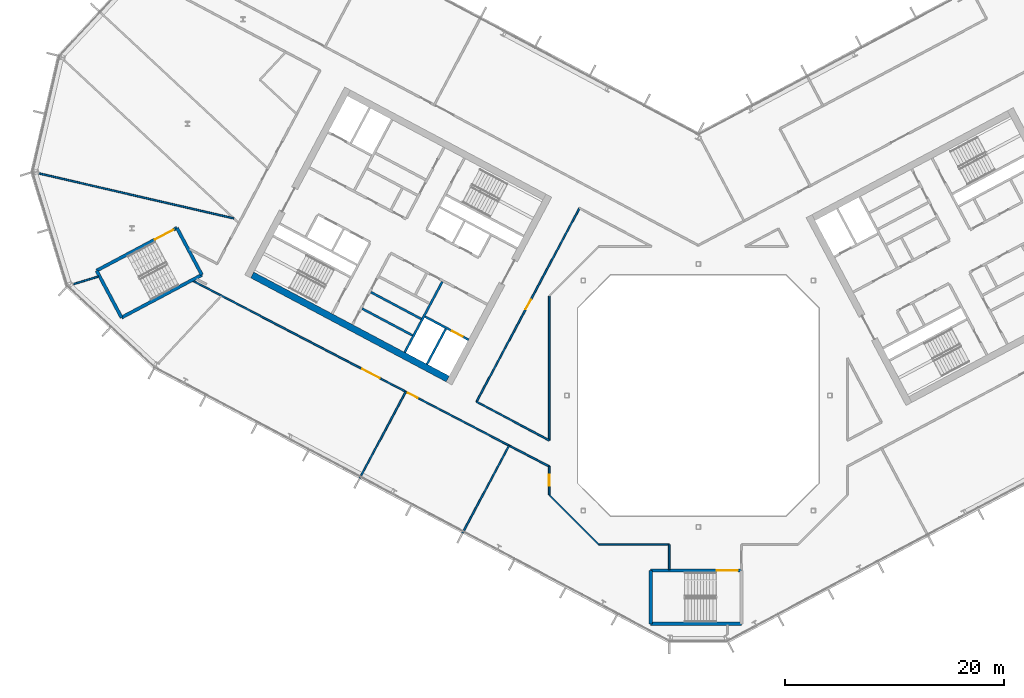
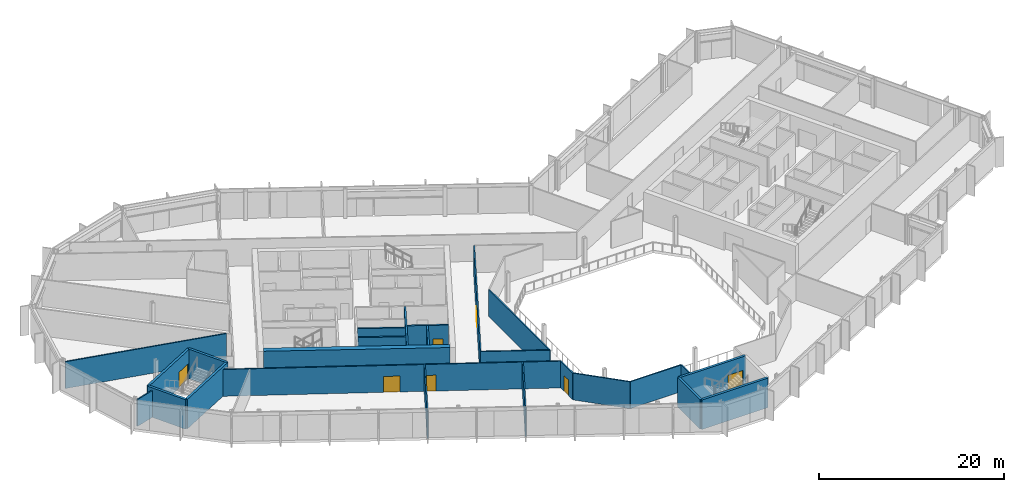
# One storey, part 12 of 26: 25 walls, 7 doors, 7 openings.
"""IFC4 building model written with IfcOpenShell, lengths in metres."""

from ifc_helpers import new_model, si_unit, direction, frame, frame_2d, origin, place, context, subcontext, project, spatial, rectangle, extrude, material, layer, layer_set, type_object, element, fill, save


model = new_model("IFC4")

# Units and contexts
model_context = context("Model", 3, precision=1e-05, world=origin(), true_north=direction((0.0, 1.0)))
body_context = subcontext(model_context, "Body", "Model", "MODEL_VIEW")
ifc_project = project(units=[si_unit("LENGTHUNIT", "METRE"), si_unit("AREAUNIT", "SQUARE_METRE"), si_unit("VOLUMEUNIT", "CUBIC_METRE"), si_unit("PLANEANGLEUNIT", "RADIAN"), si_unit("MASSUNIT", "GRAM", prefix="KILO")], contexts=[model_context])

# Site, building, storey
site_placement = place(None, origin())
site = spatial("IfcSite", under=ifc_project, at=site_placement, CompositionType="ELEMENT")
building_placement = place(site_placement, origin())
building = spatial("IfcBuilding", under=site, at=building_placement, Name="Cormorant Relay Tower", CompositionType="ELEMENT")
storey_placement = place(building_placement, frame((0.0, 0.0, 213.0)))
storey = spatial("IfcBuildingStorey", under=building, at=storey_placement, Name="L46", CompositionType="ELEMENT", Elevation=213.0)

# Walls
ifc_material_1 = material(Name="Concrete 40 MPa", Category="concrete")
ifc_layer_1 = layer(ifc_material_1, 0.199951171875)
ifc_layer_set_1 = layer_set([ifc_layer_1], Name="Core internal wall 200")
wall_type_1 = type_object("IfcWallType", Name="Core internal wall 200", PredefinedType="SOLIDWALL", material=ifc_layer_set_1)
for number, where, z_axis, x_axis, name in (
    (1, (-25.279541015625, 6.985595703125, 0.0), (0.0, 0.0, 1.0), (-0.882934506056, 0.469496174655, 0.0), "L46 core A shaft and room wall"),
    (2, (-26.07763671875, 5.484619140625, 0.0), (0.0, 0.0, 1.0), (-0.882934506056, 0.469496174655, 0.0), "L46 core A shaft and room wall"),
):
    element("IfcWall", number, at=place(storey_placement, frame(where, z_axis=z_axis, x_axis=x_axis)), inside=storey, type_object=wall_type_1, Name=name, PredefinedType="SOLIDWALL", context=body_context, shape_type="SweptSolid", body=[
        extrude(rectangle(XDim=5.199951171875, YDim=0.199951171875, at=frame_2d((2.60009765625, 0.0))), origin(), (0.0, 0.0, 1.0), 3.89990234375),
    ])
ifc_material_2 = material(Name="Concrete 50 MPa", Category="concrete")
ifc_layer_2 = layer(ifc_material_2, 0.199951171875)
ifc_layer_set_2 = layer_set([ifc_layer_2], Name="Core shaft wall 200")
wall_type_2 = type_object("IfcWallType", Name="Core shaft wall 200", PredefinedType="SHEAR", material=ifc_layer_set_2)
wall_1_placement = place(storey_placement, frame((-23.04296875, 6.07958984375, 0.0), z_axis=(0.0, 0.0, 1.0), x_axis=(-0.469494272526, -0.882935517501, 0.0)))
element("IfcWall", 3, at=wall_1_placement, inside=storey, type_object=wall_type_2, Name="L46 core A shaft wall", PredefinedType="SHEAR", context=body_context, shape_type="SweptSolid", body=[
    extrude(rectangle(XDim=3.64990234375, YDim=0.199951171875, at=frame_2d((1.824951171875, 0.0))), origin(), (0.0, 0.0, 1.0), 3.89990234375),
])
wall_2_placement = place(storey_placement, frame((-23.360107421875, 10.38232421875, 0.0), z_axis=(0.0, 0.0, 1.0), x_axis=(-0.469480409012, -0.88294288918, 0.0)))
element("IfcWall", 4, at=wall_2_placement, inside=storey, type_object=wall_type_2, Name="L46 core A shaft wall", PredefinedType="SHEAR", context=body_context, shape_type="SweptSolid", body=[
    extrude(rectangle(XDim=7.300048828125, YDim=0.199951171875, at=frame_2d((3.64990234375, 0.0))), origin(), (0.0, 0.0, 1.0), 3.89990234375),
])

# Wall, opening, door
wall_3_placement = place(storey_placement, frame((-20.96533203125, 5.088134765625, 0.0), z_axis=(0.0, 0.0, 1.0), x_axis=(-0.882925986334, 0.469512196493, 0.0)))
wall_3 = element("IfcWall", 5, at=wall_3_placement, inside=storey, type_object=wall_type_2, Name="L46 core A shaft wall", PredefinedType="SHEAR", context=body_context, shape_type="SweptSolid", body=[
    extrude(rectangle(XDim=4.5, YDim=0.199951171875, at=frame_2d((2.25, 0.0))), origin(), (0.0, 0.0, 1.0), 3.89990234375),
])
opening_1_placement = place(wall_3_placement, frame((0.60009765625, 0.0, 0.0)))
opening_1 = element("IfcOpeningElement", 6, at=opening_1_placement, cuts=wall_3, Name="Opening LD1-063", PredefinedType="OPENING", context=body_context, shape_type="SweptSolid", body=[
    extrude(rectangle(XDim=1.10009765625, YDim=2.10009765625, at=frame_2d((0.550048828125, 1.050048828125))), frame((0.0, 0.10986328125, 0.0), z_axis=(0.0, -1.0, 0.0), x_axis=(1.0, 0.0, 0.0)), (0.0, 0.0, 1.0), 0.219970703125),
])
ifc_material_3 = material(Name="Stainless steel 316", Category="steel")
door_type_1 = type_object("IfcDoorType", Name="Lift landing door 1100x2100", OperationType="DOUBLE_DOOR_SLIDING", PredefinedType="DOOR", material=ifc_material_3)
door_1_placement = place(opening_1_placement, origin())
door_1 = element("IfcDoor", 7, at=door_1_placement, inside=storey, type_object=door_type_1, Name="FF1 landing door", OperationType="DOUBLE_DOOR_SLIDING", OverallHeight=2.10009765625, OverallWidth=1.10009765625, PredefinedType="DOOR", context=body_context, shape_type="SweptSolid", body=[
    extrude(rectangle(XDim=1.10009765625, YDim=2.10009765625, at=frame_2d((0.550048828125, 1.050048828125))), frame((0.0, 0.02490234375, 0.0), z_axis=(0.0, -1.0, 0.0), x_axis=(1.0, 0.0, 0.0)), (0.0, 0.0, 1.0), 0.050048828125),
])
fill(opening_1, door_1)

# Wall
ifc_material_4 = material(Name="Concrete 50 MPa", Category="concrete")
ifc_layer_3 = layer(ifc_material_4, 0.60009765625)
ifc_layer_set_3 = layer_set([ifc_layer_3], Name="Core wall 600")
wall_type_3 = type_object("IfcWallType", Name="Core wall 600", PredefinedType="SHEAR", material=ifc_layer_set_3)
wall_4_placement = place(storey_placement, frame((-22.86669921875, 1.51220703125, 0.0), z_axis=(0.0, 0.0, 1.0), x_axis=(-0.88294509198, 0.469476266226, 0.0)))
element("IfcWall", 8, at=wall_4_placement, inside=storey, type_object=wall_type_3, Name="L46 core A wall", PredefinedType="SHEAR", context=body_context, shape_type="SweptSolid", body=[
    extrude(rectangle(XDim=20.199951171875, YDim=0.60009765625, at=frame_2d((10.10009765625, 0.0))), origin(), (0.0, 0.0, 1.0), 3.89990234375),
])

# Wall, opening, door
ifc_material_5 = material(Name="Gypsum board fire partition")
ifc_layer_4 = layer(ifc_material_5, 0.14990234375)
ifc_layer_set_4 = layer_set([ifc_layer_4], Name="Corridor partition 150 EI 60")
wall_type_4 = type_object("IfcWallType", Name="Corridor partition 150 EI 60", PredefinedType="PARTITIONING", material=ifc_layer_set_4)
wall_5_placement = place(storey_placement, frame((-13.60009765625, -9.076904296875, 0.0), z_axis=(0.0, 0.0, 1.0), x_axis=(0.0, 1.0, 0.0)))
wall_5 = element("IfcWall", 9, at=wall_5_placement, inside=storey, type_object=wall_type_4, Name="wall/L46/part/015", PredefinedType="PARTITIONING", context=body_context, shape_type="SweptSolid", body=[
    extrude(rectangle(XDim=2.60400390625, YDim=0.14990234375, at=frame_2d((1.302001953125, 0.0))), origin(), (0.0, 0.0, 1.0), 3.5400390625),
])
opening_2_placement = place(wall_5_placement, frame((0.85009765625, 0.0, 0.0)))
opening_2 = element("IfcOpeningElement", 10, at=opening_2_placement, cuts=wall_5, Name="Opening DS-145", PredefinedType="OPENING", context=body_context, shape_type="SweptSolid", body=[
    extrude(rectangle(XDim=1.0, YDim=2.10009765625, at=frame_2d((0.5, 1.050048828125))), frame((0.0, 0.0849609375, 0.0), z_axis=(0.0, -1.0, 0.0), x_axis=(1.0, 0.0, 0.0)), (0.0, 0.0, 1.0), 0.169921875),
])
ifc_material_6 = material(Name="Timber door leaf", Category="wood")
door_type_2 = type_object("IfcDoorType", Name="Suite door 1000x2100", OperationType="SINGLE_SWING_LEFT", PredefinedType="DOOR", material=ifc_material_6)
door_2_placement = place(opening_2_placement, origin())
door_2 = element("IfcDoor", 11, at=door_2_placement, inside=storey, type_object=door_type_2, Name="door/L46/009", OperationType="SINGLE_SWING_RIGHT", OverallHeight=2.10009765625, OverallWidth=1.0, PredefinedType="DOOR", context=body_context, shape_type="SweptSolid", body=[
    extrude(rectangle(XDim=1.0, YDim=2.10009765625, at=frame_2d((0.5, 1.050048828125))), frame((0.0, 0.02490234375, 0.0), z_axis=(0.0, -1.0, 0.0), x_axis=(1.0, 0.0, 0.0)), (0.0, 0.0, 1.0), 0.050048828125),
])
fill(opening_2, door_2)

# Wall, openings, doors
wall_6_placement = place(storey_placement, frame((-13.60009765625, -6.472900390625, 0.0), z_axis=(0.0, 0.0, 1.0), x_axis=(-0.886887925569, 0.461984639874, 0.0)))
wall_6 = element("IfcWall", 12, at=wall_6_placement, inside=storey, type_object=wall_type_4, Name="wall/L46/part/016", PredefinedType="PARTITIONING", context=body_context, shape_type="SweptSolid", body=[
    extrude(rectangle(XDim=36.64599609375, YDim=0.14990234375, at=frame_2d((18.322998046875, 0.0))), origin(), (0.0, 0.0, 1.0), 3.5400390625),
])
opening_3_placement = place(wall_6_placement, frame((17.449951171875, 0.0, 0.0)))
opening_3 = element("IfcOpeningElement", 13, at=opening_3_placement, cuts=wall_6, Name="Opening DD-025", PredefinedType="OPENING", context=body_context, shape_type="SweptSolid", body=[
    extrude(rectangle(XDim=1.800048828125, YDim=2.10009765625, at=frame_2d((0.89990234375, 1.050048828125))), frame((0.0, 0.0849609375, 0.0), z_axis=(0.0, -1.0, 0.0), x_axis=(1.0, 0.0, 0.0)), (0.0, 0.0, 1.0), 0.169921875),
])
opening_4_placement = place(wall_6_placement, frame((13.550048828125, 0.0, 0.0)))
opening_4 = element("IfcOpeningElement", 14, at=opening_4_placement, cuts=wall_6, Name="Opening DS-144", PredefinedType="OPENING", context=body_context, shape_type="SweptSolid", body=[
    extrude(rectangle(XDim=1.0, YDim=2.10009765625, at=frame_2d((0.5, 1.050048828125))), frame((0.0, 0.0849609375, 0.0), z_axis=(0.0, -1.0, 0.0), x_axis=(1.0, 0.0, 0.0)), (0.0, 0.0, 1.0), 0.169921875),
])
door_3_placement = place(opening_4_placement, origin())
door_3 = element("IfcDoor", 15, at=door_3_placement, inside=storey, type_object=door_type_2, Name="door/L46/008", OperationType="SINGLE_SWING_RIGHT", OverallHeight=2.10009765625, OverallWidth=1.0, PredefinedType="DOOR", context=body_context, shape_type="SweptSolid", body=[
    extrude(rectangle(XDim=1.0, YDim=2.10009765625, at=frame_2d((0.5, 1.050048828125))), frame((0.0, 0.02490234375, 0.0), z_axis=(0.0, -1.0, 0.0), x_axis=(1.0, 0.0, 0.0)), (0.0, 0.0, 1.0), 0.050048828125),
])
fill(opening_4, door_3)
ifc_material_7 = material(Name="Timber door leaf", Category="wood")
door_type_3 = type_object("IfcDoorType", Name="Suite double door 1800x2100", OperationType="DOUBLE_DOOR_SINGLE_SWING", PredefinedType="DOOR", material=ifc_material_7)
door_4_placement = place(opening_3_placement, origin())
door_4 = element("IfcDoor", 16, at=door_4_placement, inside=storey, type_object=door_type_3, Name="door/L46/007", OperationType="DOUBLE_DOOR_SINGLE_SWING", OverallHeight=2.10009765625, OverallWidth=1.800048828125, PredefinedType="DOOR", context=body_context, shape_type="SweptSolid", body=[
    extrude(rectangle(XDim=1.800048828125, YDim=2.10009765625, at=frame_2d((0.89990234375, 1.050048828125))), frame((0.0, 0.02490234375, 0.0), z_axis=(0.0, -1.0, 0.0), x_axis=(1.0, 0.0, 0.0)), (0.0, 0.0, 1.0), 0.050048828125),
])
fill(opening_3, door_4)

# Walls
wall_7_placement = place(storey_placement, frame((-13.60009765625, -9.076904296875, 0.0), z_axis=(0.0, 0.0, 1.0), x_axis=(0.707106781187, -0.707106781187, 0.0)))
element("IfcWall", 17, at=wall_7_placement, inside=storey, type_object=wall_type_4, Name="wall/L46/part/023", PredefinedType="PARTITIONING", context=body_context, shape_type="SweptSolid", body=[
    extrude(rectangle(XDim=6.396728515625, YDim=0.14990234375, at=frame_2d((3.1982421875, 0.0))), origin(), (0.0, 0.0, 1.0), 3.5400390625),
])
wall_8_placement = place(storey_placement, frame((-2.64892578125, -15.875, 0.0), z_axis=(0.0, 0.0, 1.0), x_axis=(0.0, 1.0, 0.0)))
element("IfcWall", 18, at=wall_8_placement, inside=storey, type_object=wall_type_4, Name="wall/L46/part/024", PredefinedType="PARTITIONING", context=body_context, shape_type="SweptSolid", body=[
    extrude(rectangle(XDim=2.27490234375, YDim=0.14990234375, at=frame_2d((1.137451171875, 0.0))), origin(), (0.0, 0.0, 1.0), 3.5400390625),
])
wall_9_placement = place(storey_placement, frame((-2.64892578125, -13.60009765625, 0.0), z_axis=(0.0, 0.0, 1.0), x_axis=(-1.0, 0.0, 0.0)))
element("IfcWall", 19, at=wall_9_placement, inside=storey, type_object=wall_type_4, Name="wall/L46/part/025", PredefinedType="PARTITIONING", context=body_context, shape_type="SweptSolid", body=[
    extrude(rectangle(XDim=6.427978515625, YDim=0.14990234375, at=frame_2d((3.2138671875, 0.0))), origin(), (0.0, 0.0, 1.0), 3.5400390625),
])

# Wall, opening, door
wall_10_placement = place(storey_placement, frame((-20.235107421875, -0.56689453125, 0.0), z_axis=(0.0, 0.0, 1.0), x_axis=(0.469499398982, 0.882932791528, 0.0)))
wall_10 = element("IfcWall", 20, at=wall_10_placement, inside=storey, type_object=wall_type_4, Name="wall/L46/part/043", PredefinedType="PARTITIONING", context=body_context, shape_type="SweptSolid", body=[
    extrude(rectangle(XDim=20.000244140625, YDim=0.14990234375, at=frame_2d((10.0, 0.0))), origin(), (0.0, 0.0, 1.0), 3.5400390625),
])
opening_5_placement = place(wall_10_placement, frame((9.550048828125, 0.0, 0.0)))
opening_5 = element("IfcOpeningElement", 21, at=opening_5_placement, cuts=wall_10, Name="Opening DS-146", PredefinedType="OPENING", context=body_context, shape_type="SweptSolid", body=[
    extrude(rectangle(XDim=1.0, YDim=2.10009765625, at=frame_2d((0.5, 1.050048828125))), frame((0.0, 0.0849609375, 0.0), z_axis=(0.0, -1.0, 0.0), x_axis=(1.0, 0.0, 0.0)), (0.0, 0.0, 1.0), 0.169921875),
])
door_5_placement = place(opening_5_placement, frame((1.0, 0.0, 0.0), z_axis=(0.0, 0.0, 1.0), x_axis=(-1.0, 0.0, 0.0)))
door_5 = element("IfcDoor", 22, at=door_5_placement, inside=storey, type_object=door_type_2, Name="door/L46/010", OperationType="SINGLE_SWING_LEFT", OverallHeight=2.10009765625, OverallWidth=1.0, PredefinedType="DOOR", context=body_context, shape_type="SweptSolid", body=[
    extrude(rectangle(XDim=1.0, YDim=2.10009765625, at=frame_2d((0.5, 1.050048828125))), frame((0.0, 0.02490234375, 0.0), z_axis=(0.0, -1.0, 0.0), x_axis=(1.0, 0.0, 0.0)), (0.0, 0.0, 1.0), 0.050048828125),
])
fill(opening_5, door_5)

# Walls
wall_11_placement = place(storey_placement, frame((-13.60009765625, 9.076904296875, 0.0), z_axis=(0.0, 0.0, 1.0), x_axis=(0.0, -1.0, 0.0)))
element("IfcWall", 23, at=wall_11_placement, inside=storey, type_object=wall_type_4, Name="wall/L46/part/047", PredefinedType="PARTITIONING", context=body_context, shape_type="SweptSolid", body=[
    extrude(rectangle(XDim=13.1708984375, YDim=0.14990234375, at=frame_2d((6.58544921875, 0.0))), origin(), (0.0, 0.0, 1.0), 3.5400390625),
])
wall_12_placement = place(storey_placement, frame((-13.60009765625, -4.093994140625, 0.0), z_axis=(0.0, 0.0, 1.0), x_axis=(-0.882991591568, 0.469388803893, 0.0)))
element("IfcWall", 24, at=wall_12_placement, inside=storey, type_object=wall_type_4, Name="wall/L46/part/048", PredefinedType="PARTITIONING", context=body_context, shape_type="SweptSolid", body=[
    extrude(rectangle(XDim=7.51416015625, YDim=0.14990234375, at=frame_2d((3.757080078125, 0.0))), origin(), (0.0, 0.0, 1.0), 3.5400390625),
])
ifc_material_8 = material(Name="Concrete 50 MPa", Category="concrete")
ifc_layer_5 = layer(ifc_material_8, 0.300048828125)
ifc_layer_set_5 = layer_set([ifc_layer_5], Name="Remote stair wall 300")
wall_type_5 = type_object("IfcWallType", Name="Remote stair wall 300", PredefinedType="SHEAR", material=ifc_layer_set_5)
wall_13_placement = place(storey_placement, frame((3.949951171875, -20.824951171875, 0.0), z_axis=(0.0, 0.0, 1.0), x_axis=(-1.0, 0.0, 0.0)))
element("IfcWall", 25, at=wall_13_placement, inside=storey, type_object=wall_type_5, Name="L46 exit stair RK1 wall", PredefinedType="SHEAR", context=body_context, shape_type="SweptSolid", body=[
    extrude(rectangle(XDim=8.300048828125, YDim=0.300048828125, at=frame_2d((4.14990234375, 0.0))), origin(), (0.0, 0.0, 1.0), 3.89990234375),
])
wall_14_placement = place(storey_placement, frame((-4.35009765625, -20.824951171875, 0.0), z_axis=(0.0, 0.0, 1.0), x_axis=(0.0, 1.0, 0.0)))
element("IfcWall", 26, at=wall_14_placement, inside=storey, type_object=wall_type_5, Name="L46 exit stair RK1 wall", PredefinedType="SHEAR", context=body_context, shape_type="SweptSolid", body=[
    extrude(rectangle(XDim=4.849853515625, YDim=0.300048828125, at=frame_2d((2.4248046875, 0.0))), origin(), (0.0, 0.0, 1.0), 3.89990234375),
])

# Wall, opening, door
wall_15_placement = place(storey_placement, frame((-4.35009765625, -15.97509765625, 0.0), z_axis=(0.0, 0.0, 1.0), x_axis=(1.0, 0.0, 0.0)))
wall_15 = element("IfcWall", 27, at=wall_15_placement, inside=storey, type_object=wall_type_5, Name="L46 exit stair RK1 wall", PredefinedType="SHEAR", context=body_context, shape_type="SweptSolid", body=[
    extrude(rectangle(XDim=8.300048828125, YDim=0.300048828125, at=frame_2d((4.14990234375, 0.0))), origin(), (0.0, 0.0, 1.0), 3.89990234375),
])
opening_6_placement = place(wall_15_placement, frame((6.050048828125, 0.0, 0.0)))
opening_6 = element("IfcOpeningElement", 28, at=opening_6_placement, cuts=wall_15, Name="Opening CDE-014", PredefinedType="OPENING", context=body_context, shape_type="SweptSolid", body=[
    extrude(rectangle(XDim=1.89990234375, YDim=2.10009765625, at=frame_2d((0.949951171875, 1.050048828125))), frame((0.0, 0.159912109375, 0.0), z_axis=(0.0, -1.0, 0.0), x_axis=(1.0, 0.0, 0.0)), (0.0, 0.0, 1.0), 0.320068359375),
])
ifc_material_9 = material(Name="Steel fire door", Category="steel")
door_type_4 = type_object("IfcDoorType", Name="Remote stair door 1900x2100", OperationType="DOUBLE_DOOR_SINGLE_SWING", PredefinedType="DOOR", material=ifc_material_9)
door_6_placement = place(opening_6_placement, frame((1.89990234375, 0.0, 0.0), z_axis=(0.0, 0.0, 1.0), x_axis=(-1.0, 0.0, 0.0)))
door_6 = element("IfcDoor", 29, at=door_6_placement, inside=storey, type_object=door_type_4, Name="Exit stair RK1 door", OperationType="DOUBLE_DOOR_SINGLE_SWING", OverallHeight=2.10009765625, OverallWidth=1.89990234375, PredefinedType="DOOR", context=body_context, shape_type="SweptSolid", body=[
    extrude(rectangle(XDim=1.89990234375, YDim=2.10009765625, at=frame_2d((0.949951171875, 1.050048828125))), frame((0.0, 0.02490234375, 0.0), z_axis=(0.0, -1.0, 0.0), x_axis=(1.0, 0.0, 0.0)), (0.0, 0.0, 1.0), 0.050048828125),
])
fill(opening_6, door_6)

# Walls
wall_16_placement = place(storey_placement, frame((-47.57421875, 15.28955078125, 0.0), z_axis=(0.0, 0.0, 1.0), x_axis=(0.469443498566, -0.882962514297, 0.0)))
element("IfcWall", 30, at=wall_16_placement, inside=storey, type_object=wall_type_5, Name="L46 exit stair RP1 wall", PredefinedType="SHEAR", context=body_context, shape_type="SweptSolid", body=[
    extrude(rectangle(XDim=4.85009765625, YDim=0.300048828125, at=frame_2d((2.425048828125, 0.0))), origin(), (0.0, 0.0, 1.0), 3.89990234375),
])
wall_17_placement = place(storey_placement, frame((-45.29736328125, 11.007080078125, 0.0), z_axis=(0.0, 0.0, 1.0), x_axis=(-0.882951519127, -0.469464178475, 0.0)))
element("IfcWall", 31, at=wall_17_placement, inside=storey, type_object=wall_type_5, Name="L46 exit stair RP1 wall", PredefinedType="SHEAR", context=body_context, shape_type="SweptSolid", body=[
    extrude(rectangle(XDim=8.2998046875, YDim=0.300048828125, at=frame_2d((4.14990234375, 0.0))), origin(), (0.0, 0.0, 1.0), 3.89990234375),
])
wall_18_placement = place(storey_placement, frame((-52.625732421875, 7.110595703125, 0.0), z_axis=(0.0, 0.0, 1.0), x_axis=(-0.469464364128, 0.882951420416, 0.0)))
element("IfcWall", 32, at=wall_18_placement, inside=storey, type_object=wall_type_5, Name="L46 exit stair RP1 wall", PredefinedType="SHEAR", context=body_context, shape_type="SweptSolid", body=[
    extrude(rectangle(XDim=4.849853515625, YDim=0.300048828125, at=frame_2d((2.4248046875, 0.0))), origin(), (0.0, 0.0, 1.0), 3.89990234375),
])

# Wall, opening, door
wall_19_placement = place(storey_placement, frame((-54.902587890625, 11.392822265625, 0.0), z_axis=(0.0, 0.0, 1.0), x_axis=(0.882939326045, 0.469487110071, 0.0)))
wall_19 = element("IfcWall", 33, at=wall_19_placement, inside=storey, type_object=wall_type_5, Name="L46 exit stair RP1 wall", PredefinedType="SHEAR", context=body_context, shape_type="SweptSolid", body=[
    extrude(rectangle(XDim=8.300048828125, YDim=0.300048828125, at=frame_2d((4.14990234375, 0.0))), origin(), (0.0, 0.0, 1.0), 3.89990234375),
])
opening_7_placement = place(wall_19_placement, frame((6.050048828125, 0.0, 0.0)))
opening_7 = element("IfcOpeningElement", 34, at=opening_7_placement, cuts=wall_19, Name="Opening CDE-015", PredefinedType="OPENING", context=body_context, shape_type="SweptSolid", body=[
    extrude(rectangle(XDim=1.89990234375, YDim=2.10009765625, at=frame_2d((0.949951171875, 1.050048828125))), frame((0.0, 0.159912109375, 0.0), z_axis=(0.0, -1.0, 0.0), x_axis=(1.0, 0.0, 0.0)), (0.0, 0.0, 1.0), 0.320068359375),
])
door_7_placement = place(opening_7_placement, frame((1.89990234375, 0.0, 0.0), z_axis=(0.0, 0.0, 1.0), x_axis=(-1.0, 0.0, 0.0)))
door_7 = element("IfcDoor", 35, at=door_7_placement, inside=storey, type_object=door_type_4, Name="Exit stair RP1 door", OperationType="DOUBLE_DOOR_SINGLE_SWING", OverallHeight=2.10009765625, OverallWidth=1.89990234375, PredefinedType="DOOR", context=body_context, shape_type="SweptSolid", body=[
    extrude(rectangle(XDim=1.89990234375, YDim=2.10009765625, at=frame_2d((0.949951171875, 1.050048828125))), frame((0.0, 0.02490234375, 0.0), z_axis=(0.0, -1.0, 0.0), x_axis=(1.0, 0.0, 0.0)), (0.0, 0.0, 1.0), 0.050048828125),
])
fill(opening_7, door_7)

# Walls
ifc_material_10 = material(Name="Gypsum board partition")
ifc_layer_6 = layer(ifc_material_10, 0.14990234375)
ifc_layer_set_6 = layer_set([ifc_layer_6], Name="Tenant partition 150")
wall_type_6 = type_object("IfcWallType", Name="Tenant partition 150", PredefinedType="PARTITIONING", material=ifc_layer_set_6)
wall_20_placement = place(storey_placement, frame((-60.162109375, 20.264892578125, 0.0), z_axis=(0.0, 0.0, 1.0), x_axis=(0.974367298847, -0.224963034603, 0.0)))
element("IfcWall", 36, at=wall_20_placement, inside=storey, type_object=wall_type_6, Name="wall/L46/part/001", PredefinedType="PARTITIONING", context=body_context, shape_type="SweptSolid", body=[
    extrude(rectangle(XDim=18.256103515625, YDim=0.14990234375, at=frame_2d((9.1279296875, 0.0))), origin(), (0.0, 0.0, 1.0), 3.5400390625),
])
wall_21_placement = place(storey_placement, frame((-54.73193359375, 10.85693359375, 0.0), z_axis=(0.0, 0.0, 1.0), x_axis=(-0.956308315689, -0.292360061129, 0.0)))
element("IfcWall", 37, at=wall_21_placement, inside=storey, type_object=wall_type_6, Name="wall/L46/part/004", PredefinedType="PARTITIONING", context=body_context, shape_type="SweptSolid", body=[
    extrude(rectangle(XDim=2.36669921875, YDim=0.14990234375, at=frame_2d((1.183349609375, 0.0))), origin(), (0.0, 0.0, 1.0), 3.5400390625),
])
wall_22_placement = place(storey_placement, frame((-26.695068359375, 0.347900390625, 0.0), z_axis=(0.0, 0.0, 1.0), x_axis=(-0.469531763761, -0.8829155808, 0.0)))
element("IfcWall", 38, at=wall_22_placement, inside=storey, type_object=wall_type_6, Name="wall/L46/part/010", PredefinedType="PARTITIONING", context=body_context, shape_type="SweptSolid", body=[
    extrude(rectangle(XDim=8.974609375, YDim=0.14990234375, at=frame_2d((4.4873046875, 0.0))), origin(), (0.0, 0.0, 1.0), 3.5400390625),
])
wall_23_placement = place(storey_placement, frame((-17.263916015625, -4.56396484375, 0.0), z_axis=(0.0, 0.0, 1.0), x_axis=(-0.469490590471, -0.882937475396, 0.0)))
element("IfcWall", 39, at=wall_23_placement, inside=storey, type_object=wall_type_6, Name="wall/L46/part/020", PredefinedType="PARTITIONING", context=body_context, shape_type="SweptSolid", body=[
    extrude(rectangle(XDim=9.0654296875, YDim=0.14990234375, at=frame_2d((4.53271484375, 0.0))), origin(), (0.0, 0.0, 1.0), 3.5400390625),
])

save(model, "model.ifc")
